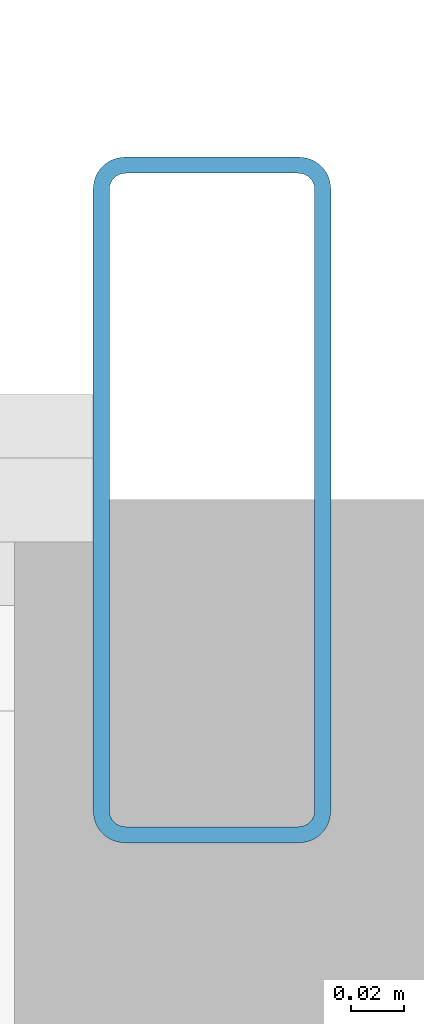
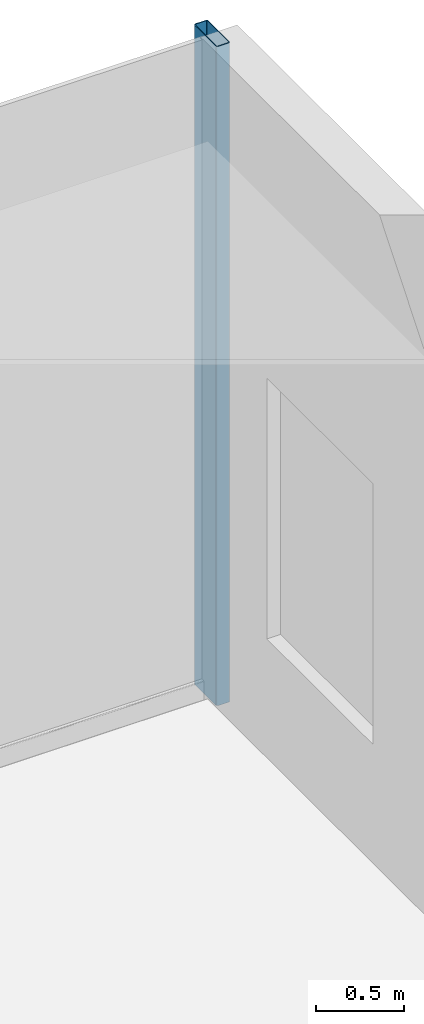
# One storey, part 14 of 27: 1 member, 1 element without a shape of its own.
"""IFC4 building model written with IfcOpenShell, lengths in metres."""

from ifc_helpers import new_model, si_unit, direction, frame, origin, origin_2d, place, context, subcontext, project, spatial, hollow_rectangle, extrude, source, transform, mapped, material, layer, layer_set, material_profile, profile_set, type_object, element, aggregate, save


model = new_model("IFC4")

# Units and contexts
model_context = context("Model", 3, precision=1e-05, world=origin(), true_north=direction((0.0, 1.0)))
body_context = subcontext(model_context, "Body", "Model", "MODEL_VIEW")
ifc_project = project(units=[si_unit("LENGTHUNIT", "METRE"), si_unit("AREAUNIT", "SQUARE_METRE"), si_unit("VOLUMEUNIT", "CUBIC_METRE"), si_unit("PLANEANGLEUNIT", "RADIAN"), si_unit("MASSUNIT", "GRAM", prefix="KILO")], contexts=[model_context])

# Site, building, storey
site_placement = place(None, origin())
site = spatial("IfcSite", under=ifc_project, at=site_placement, CompositionType="ELEMENT")
building_placement = place(site_placement, origin())
building = spatial("IfcBuilding", under=site, at=building_placement, Name="Nefas-Gora Pilgrimage Tower", CompositionType="ELEMENT")
storey_placement = place(building_placement, frame((0.0, 0.0, 144.0)))
storey = spatial("IfcBuildingStorey", under=building, at=storey_placement, Name="L35", CompositionType="ELEMENT", Elevation=144.0)

# Curtain wall, member
ifc_material_1 = material(Name="Dark ceramic-fritted solar-control aluminium-glass curtain wall", Category="aluminium")
ifc_layer = layer(ifc_material_1, 0.219970703125)
ifc_layer_set = layer_set([ifc_layer], Name="Dark ceramic-fritted solar-control aluminium-glass curtain wall")
curtain_wall_type = type_object("IfcCurtainWallType", Name="CW-SYS-2", PredefinedType="NOTDEFINED", material=ifc_layer_set)
curtain_wall_placement = place(storey_placement, origin())
curtain_wall = element("IfcCurtainWall", 1, at=curtain_wall_placement, inside=storey, type_object=curtain_wall_type, Name="L35 Unitised Curtain Wall CW2", PredefinedType="NOTDEFINED")
ifc_material_2 = material(Name="Anodised architectural aluminium", Category="aluminium")
ifc_material_profile = material_profile(ifc_material_2, hollow_rectangle(XDim=0.090087890625, YDim=0.260009765625, WallThickness=0.006103515625, InnerFilletRadius=0.006103515625, OuterFilletRadius=0.011962890625, at=origin_2d()), Name="ALU MULLION 90x260")
ifc_profile_set = profile_set([ifc_material_profile], Name="Anodised architectural aluminium")
member_type = type_object("IfcMemberType", Name="CWM-MUL-2", PredefinedType="MULLION", material=ifc_profile_set)
shared_shape = source(origin(), body_context, "Body", "SweptSolid", [
    extrude(hollow_rectangle(XDim=0.090087890625, YDim=0.260009765625, WallThickness=0.006103515625, InnerFilletRadius=0.006103515625, OuterFilletRadius=0.011962890625, at=origin_2d()), origin(), (0.0, 0.0, 1.0), 4.550048828125),
])
member_placement = place(storey_placement, frame((28.824951171875, 23.02001953125, 0.0), z_axis=(0.0, 0.0, 1.0), x_axis=(-1.0, 0.0, 0.0)))
member = element("IfcMember", 2, at=member_placement, type_object=member_type, Name="CW2 Mullion 1", PredefinedType="MULLION", context=body_context, shape_type="MappedRepresentation", body=[
    mapped(shared_shape, transform((0.0, 0.0, 0.0), x_axis=(1.0, 0.0, 0.0), y_axis=(0.0, 1.0, 0.0), z_axis=(0.0, 0.0, 1.0), scale=1.0)),
])
aggregate(curtain_wall, [member])

save(model, "model.ifc")
